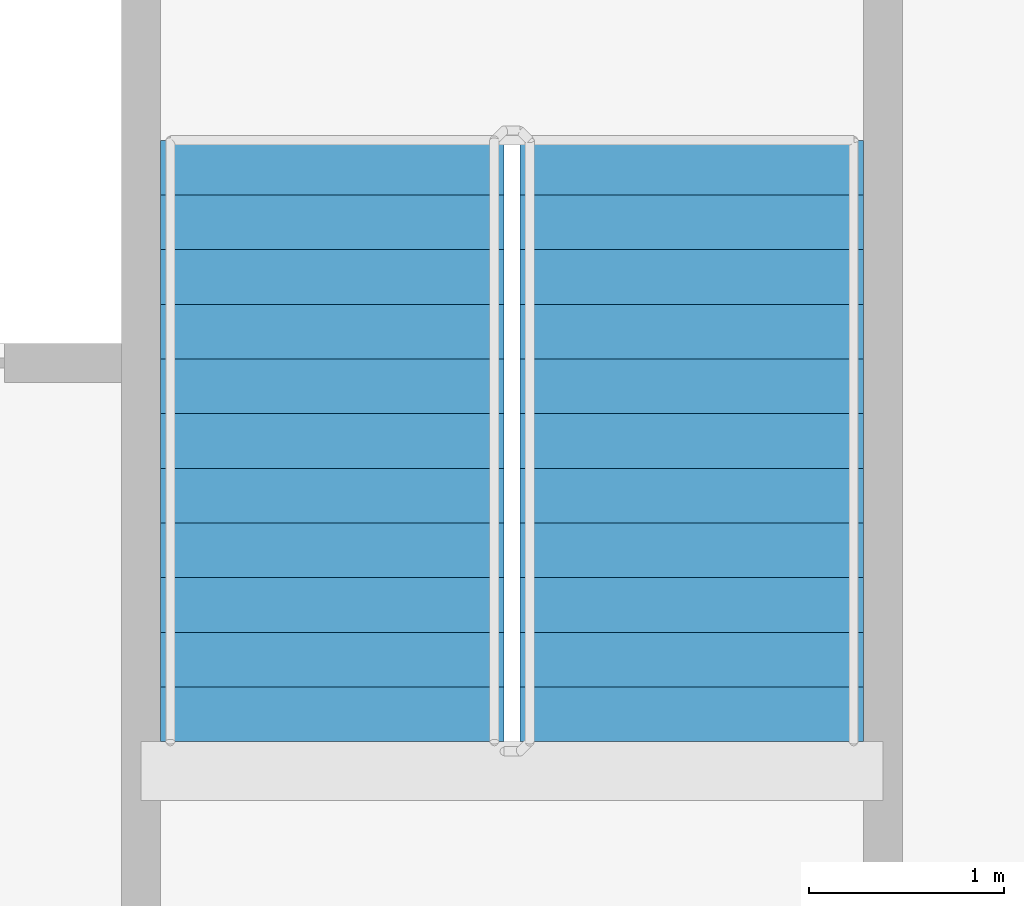
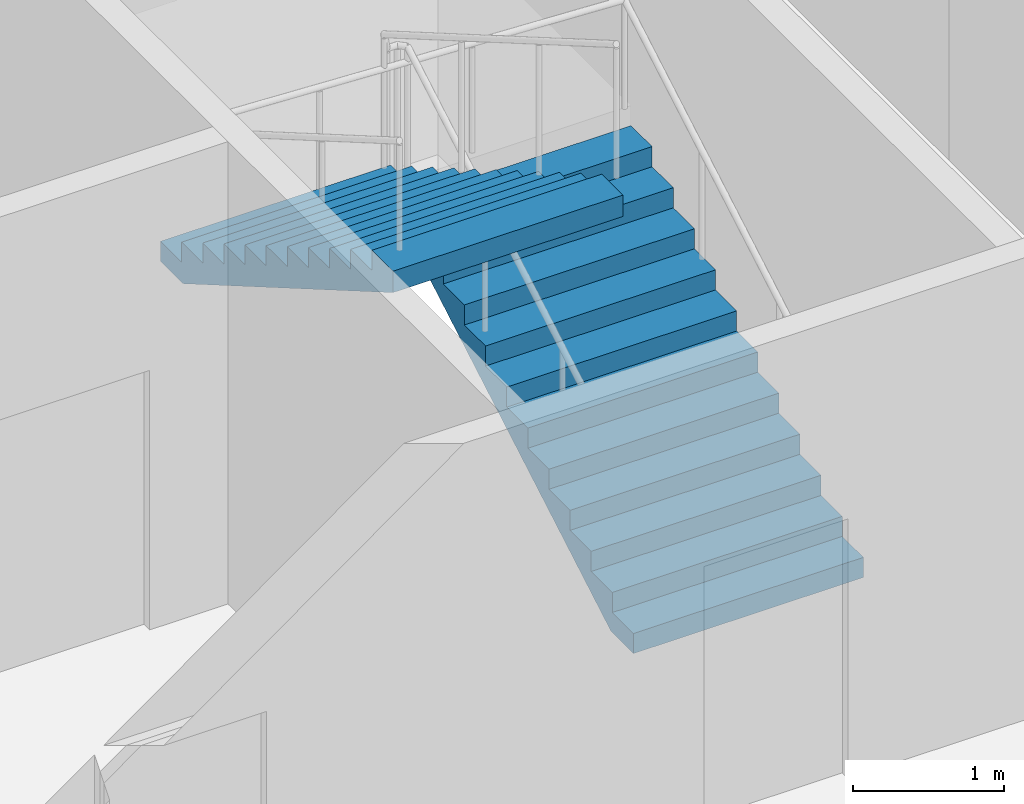
# One storey, part 10 of 16: 2 stair flights, 1 element without a shape of its own.
"""IFC4 building model written with IfcOpenShell, lengths in metres."""

from ifc_helpers import new_model, si_unit, direction, frame, origin, place, context, subcontext, project, spatial, faceted_brep, material, type_object, element, aggregate, save


model = new_model("IFC4")

# Units and contexts
model_context = context("Model", 3, precision=1e-05, world=origin(), true_north=direction((0.0, 1.0)))
body_context = subcontext(model_context, "Body", "Model", "MODEL_VIEW")
ifc_project = project(units=[si_unit("LENGTHUNIT", "METRE"), si_unit("AREAUNIT", "SQUARE_METRE"), si_unit("VOLUMEUNIT", "CUBIC_METRE"), si_unit("PLANEANGLEUNIT", "RADIAN"), si_unit("MASSUNIT", "GRAM", prefix="KILO")], contexts=[model_context])

# Site, building, storey
site_placement = place(None, origin())
site = spatial("IfcSite", under=ifc_project, at=site_placement, CompositionType="ELEMENT")
building_placement = place(site_placement, origin())
building = spatial("IfcBuilding", under=site, at=building_placement, Name="Tarsis Ring Headquarters", CompositionType="ELEMENT")
storey_placement = place(building_placement, frame((0.0, 0.0, 120.10009765625)))
storey = spatial("IfcBuildingStorey", under=building, at=storey_placement, Name="L27", CompositionType="ELEMENT", Elevation=120.10009765625)

# Stair, stair flights
ifc_material_1 = material(Name="Core stair 1760")
stair_type = type_object("IfcStairType", Name="Core stair 1760", PredefinedType="HALF_TURN_STAIR", material=ifc_material_1)
stair_placement = place(storey_placement, origin())
stair = element("IfcStair", 1, at=stair_placement, inside=storey, type_object=stair_type, Name="L27 Exit stair B", PredefinedType="HALF_TURN_STAIR")
ifc_material_2 = material(Name="Concrete C40/50", Category="concrete")
stair_flight_type = type_object("IfcStairFlightType", Name="Core stair flight 1760", PredefinedType="STRAIGHT", material=ifc_material_2)
stair_flight_1_placement = place(storey_placement, frame((5.419921875, 3.659912109375, 0.0), z_axis=(0.0, 0.0, 1.0), x_axis=(0.0, 1.0, 0.0)))
stair_flight_1 = element("IfcStairFlight", 2, at=stair_flight_1_placement, type_object=stair_flight_type, Name="Stair ST2 flight 1", NumberOfRisers=12, NumberOfTreads=11, PredefinedType="STRAIGHT", RiserHeight=0.1625, TreadLength=0.28, context=body_context, shape_type="Brep", body=[
    faceted_brep([(0.0, 0.8798828125, 0.0), (0.0, 0.8798828125, 0.16259765625), (0.280029296875, 0.8798828125, 0.16259765625), (0.280029296875, 0.8798828125, 0.324951171875), (0.56005859375, 0.8798828125, 0.324951171875), (0.56005859375, 0.8798828125, 0.487548828125), (0.840087890625, 0.8798828125, 0.487548828125), (0.840087890625, 0.8798828125, 0.64990234375), (1.1201171875, 0.8798828125, 0.64990234375), (1.1201171875, 0.8798828125, 0.8125), (1.39990234375, 0.8798828125, 0.8125), (1.39990234375, 0.8798828125, 0.97509765625), (1.679931640625, 0.8798828125, 0.97509765625), (1.679931640625, 0.8798828125, 1.137451171875), (1.9599609375, 0.8798828125, 1.137451171875), (1.9599609375, 0.8798828125, 1.300048828125), (2.239990234375, 0.8798828125, 1.300048828125), (2.239990234375, 0.8798828125, 1.46240234375), (2.52001953125, 0.8798828125, 1.46240234375), (2.52001953125, 0.8798828125, 1.625), (2.800048828125, 0.8798828125, 1.625), (2.800048828125, 0.8798828125, 1.78759765625), (3.080078125, 0.8798828125, 1.78759765625), (3.080078125, 0.8798828125, 1.6142578125), (0.298583984375, 0.8798828125, 0.0), (0.298583984375, -0.8798828125, 0.0), (3.080078125, -0.8798828125, 1.6142578125), (3.080078125, -0.8798828125, 1.78759765625), (2.800048828125, -0.8798828125, 1.78759765625), (2.800048828125, -0.8798828125, 1.625), (2.52001953125, -0.8798828125, 1.625), (2.52001953125, -0.8798828125, 1.46240234375), (2.239990234375, -0.8798828125, 1.46240234375), (2.239990234375, -0.8798828125, 1.300048828125), (1.9599609375, -0.8798828125, 1.300048828125), (1.9599609375, -0.8798828125, 1.137451171875), (1.679931640625, -0.8798828125, 1.137451171875), (1.679931640625, -0.8798828125, 0.97509765625), (1.39990234375, -0.8798828125, 0.97509765625), (1.39990234375, -0.8798828125, 0.8125), (1.1201171875, -0.8798828125, 0.8125), (1.1201171875, -0.8798828125, 0.64990234375), (0.840087890625, -0.8798828125, 0.64990234375), (0.840087890625, -0.8798828125, 0.487548828125), (0.56005859375, -0.8798828125, 0.487548828125), (0.56005859375, -0.8798828125, 0.324951171875), (0.280029296875, -0.8798828125, 0.324951171875), (0.280029296875, -0.8798828125, 0.16259765625), (0.0, -0.8798828125, 0.16259765625), (0.0, -0.8798828125, 0.0), (0.0, -0.43994140625, 0.16259765625), (0.0, -0.43994140625, 0.0), (0.0, 0.0, 0.16259765625), (0.0, 0.0, 0.0), (0.0, 0.43994140625, 0.16259765625), (0.0, 0.43994140625, 0.0), (0.280029296875, -0.43994140625, 0.16259765625), (0.280029296875, 0.0, 0.16259765625), (0.280029296875, 0.43994140625, 0.16259765625), (0.280029296875, -0.43994140625, 0.324951171875), (0.280029296875, 0.0, 0.324951171875), (0.280029296875, 0.43994140625, 0.324951171875), (0.56005859375, -0.43994140625, 0.324951171875), (0.56005859375, 0.0, 0.324951171875), (0.56005859375, 0.43994140625, 0.324951171875), (0.56005859375, -0.43994140625, 0.487548828125), (0.56005859375, 0.0, 0.487548828125), (0.56005859375, 0.43994140625, 0.487548828125), (0.840087890625, -0.43994140625, 0.487548828125), (0.840087890625, 0.0, 0.487548828125), (0.840087890625, 0.43994140625, 0.487548828125), (0.840087890625, -0.43994140625, 0.64990234375), (0.840087890625, 0.0, 0.64990234375), (0.840087890625, 0.43994140625, 0.64990234375), (1.1201171875, -0.43994140625, 0.64990234375), (1.1201171875, 0.0, 0.64990234375), (1.1201171875, 0.43994140625, 0.64990234375), (1.1201171875, -0.43994140625, 0.8125), (1.1201171875, 0.0, 0.8125), (1.1201171875, 0.43994140625, 0.8125), (1.39990234375, -0.43994140625, 0.8125), (1.39990234375, 0.0, 0.8125), (1.39990234375, 0.43994140625, 0.8125), (1.39990234375, -0.43994140625, 0.97509765625), (1.39990234375, 0.0, 0.97509765625), (1.39990234375, 0.43994140625, 0.97509765625), (1.679931640625, -0.43994140625, 0.97509765625), (1.679931640625, 0.0, 0.97509765625), (1.679931640625, 0.43994140625, 0.97509765625), (1.679931640625, -0.43994140625, 1.137451171875), (1.679931640625, 0.0, 1.137451171875), (1.679931640625, 0.43994140625, 1.137451171875), (1.9599609375, -0.43994140625, 1.137451171875), (1.9599609375, 0.0, 1.137451171875), (1.9599609375, 0.43994140625, 1.137451171875), (1.9599609375, -0.43994140625, 1.300048828125), (1.9599609375, 0.0, 1.300048828125), (1.9599609375, 0.43994140625, 1.300048828125), (2.239990234375, -0.43994140625, 1.300048828125), (2.239990234375, 0.0, 1.300048828125), (2.239990234375, 0.43994140625, 1.300048828125), (2.239990234375, -0.43994140625, 1.46240234375), (2.239990234375, 0.0, 1.46240234375), (2.239990234375, 0.43994140625, 1.46240234375), (2.52001953125, -0.43994140625, 1.46240234375), (2.52001953125, 0.0, 1.46240234375), (2.52001953125, 0.43994140625, 1.46240234375), (2.52001953125, -0.43994140625, 1.625), (2.52001953125, 0.0, 1.625), (2.52001953125, 0.43994140625, 1.625), (2.800048828125, -0.43994140625, 1.625), (2.800048828125, 0.0, 1.625), (2.800048828125, 0.43994140625, 1.625), (2.800048828125, -0.43994140625, 1.78759765625), (2.800048828125, 0.0, 1.78759765625), (2.800048828125, 0.43994140625, 1.78759765625), (3.080078125, -0.43994140625, 1.78759765625), (3.080078125, 0.0, 1.78759765625), (3.080078125, 0.43994140625, 1.78759765625), (3.080078125, -0.43994140625, 1.6142578125), (3.080078125, 0.0, 1.6142578125), (3.080078125, 0.43994140625, 1.6142578125), (0.298583984375, -0.43994140625, 0.0), (0.298583984375, 0.0, 0.0), (0.298583984375, 0.43994140625, 0.0)], [[[0, 1, 2, 3, 4, 5, 6, 7, 8, 9, 10, 11, 12, 13, 14, 15, 16, 17, 18, 19, 20, 21, 22, 23, 24]], [[25, 26, 27, 28, 29, 30, 31, 32, 33, 34, 35, 36, 37, 38, 39, 40, 41, 42, 43, 44, 45, 46, 47, 48, 49]], [[49, 48, 50, 51]], [[51, 50, 52, 53]], [[53, 52, 54, 55]], [[55, 54, 1, 0]], [[48, 47, 56, 50]], [[50, 56, 57, 52]], [[52, 57, 58, 54]], [[54, 58, 2, 1]], [[47, 46, 59, 56]], [[56, 59, 60, 57]], [[57, 60, 61, 58]], [[58, 61, 3, 2]], [[46, 45, 62, 59]], [[59, 62, 63, 60]], [[60, 63, 64, 61]], [[61, 64, 4, 3]], [[45, 44, 65, 62]], [[62, 65, 66, 63]], [[63, 66, 67, 64]], [[64, 67, 5, 4]], [[44, 43, 68, 65]], [[65, 68, 69, 66]], [[66, 69, 70, 67]], [[67, 70, 6, 5]], [[43, 42, 71, 68]], [[68, 71, 72, 69]], [[69, 72, 73, 70]], [[70, 73, 7, 6]], [[42, 41, 74, 71]], [[71, 74, 75, 72]], [[72, 75, 76, 73]], [[73, 76, 8, 7]], [[41, 40, 77, 74]], [[74, 77, 78, 75]], [[75, 78, 79, 76]], [[76, 79, 9, 8]], [[40, 39, 80, 77]], [[77, 80, 81, 78]], [[78, 81, 82, 79]], [[79, 82, 10, 9]], [[39, 38, 83, 80]], [[80, 83, 84, 81]], [[81, 84, 85, 82]], [[82, 85, 11, 10]], [[38, 37, 86, 83]], [[83, 86, 87, 84]], [[84, 87, 88, 85]], [[85, 88, 12, 11]], [[37, 36, 89, 86]], [[86, 89, 90, 87]], [[87, 90, 91, 88]], [[88, 91, 13, 12]], [[36, 35, 92, 89]], [[89, 92, 93, 90]], [[90, 93, 94, 91]], [[91, 94, 14, 13]], [[35, 34, 95, 92]], [[92, 95, 96, 93]], [[93, 96, 97, 94]], [[94, 97, 15, 14]], [[34, 33, 98, 95]], [[95, 98, 99, 96]], [[96, 99, 100, 97]], [[97, 100, 16, 15]], [[33, 32, 101, 98]], [[98, 101, 102, 99]], [[99, 102, 103, 100]], [[100, 103, 17, 16]], [[32, 31, 104, 101]], [[101, 104, 105, 102]], [[102, 105, 106, 103]], [[103, 106, 18, 17]], [[31, 30, 107, 104]], [[104, 107, 108, 105]], [[105, 108, 109, 106]], [[106, 109, 19, 18]], [[30, 29, 110, 107]], [[107, 110, 111, 108]], [[108, 111, 112, 109]], [[109, 112, 20, 19]], [[29, 28, 113, 110]], [[110, 113, 114, 111]], [[111, 114, 115, 112]], [[112, 115, 21, 20]], [[28, 27, 116, 113]], [[113, 116, 117, 114]], [[114, 117, 118, 115]], [[115, 118, 22, 21]], [[27, 26, 119, 116]], [[116, 119, 120, 117]], [[117, 120, 121, 118]], [[118, 121, 23, 22]], [[26, 25, 122, 119]], [[119, 122, 123, 120]], [[120, 123, 124, 121]], [[121, 124, 24, 23]], [[25, 49, 51, 122]], [[122, 51, 53, 123]], [[123, 53, 55, 124]], [[124, 55, 0, 24]]]),
])
stair_flight_2_placement = place(storey_placement, frame((3.580078125, 6.739990234375, 1.949951171875), z_axis=(0.0, 0.0, 1.0), x_axis=(0.0, -1.0, 0.0)))
stair_flight_2 = element("IfcStairFlight", 3, at=stair_flight_2_placement, type_object=stair_flight_type, Name="Stair ST2 flight 2", NumberOfRisers=12, NumberOfTreads=11, PredefinedType="STRAIGHT", RiserHeight=0.1625, TreadLength=0.28, context=body_context, shape_type="Brep", body=[
    faceted_brep([(0.0, 0.8798828125, 0.0), (0.0, 0.8798828125, 0.16259765625), (0.280029296875, 0.8798828125, 0.16259765625), (0.280029296875, 0.8798828125, 0.324951171875), (0.56005859375, 0.8798828125, 0.324951171875), (0.56005859375, 0.8798828125, 0.487548828125), (0.840087890625, 0.8798828125, 0.487548828125), (0.840087890625, 0.8798828125, 0.64990234375), (1.1201171875, 0.8798828125, 0.64990234375), (1.1201171875, 0.8798828125, 0.8125), (1.39990234375, 0.8798828125, 0.8125), (1.39990234375, 0.8798828125, 0.97509765625), (1.679931640625, 0.8798828125, 0.97509765625), (1.679931640625, 0.8798828125, 1.137451171875), (1.9599609375, 0.8798828125, 1.137451171875), (1.9599609375, 0.8798828125, 1.300048828125), (2.239990234375, 0.8798828125, 1.300048828125), (2.239990234375, 0.8798828125, 1.46240234375), (2.52001953125, 0.8798828125, 1.46240234375), (2.52001953125, 0.8798828125, 1.625), (2.800048828125, 0.8798828125, 1.625), (2.800048828125, 0.8798828125, 1.78759765625), (3.080078125, 0.8798828125, 1.78759765625), (3.080078125, 0.8798828125, 1.6142578125), (0.298583984375, 0.8798828125, 0.0), (0.298583984375, -0.8798828125, 0.0), (3.080078125, -0.8798828125, 1.6142578125), (3.080078125, -0.8798828125, 1.78759765625), (2.800048828125, -0.8798828125, 1.78759765625), (2.800048828125, -0.8798828125, 1.625), (2.52001953125, -0.8798828125, 1.625), (2.52001953125, -0.8798828125, 1.46240234375), (2.239990234375, -0.8798828125, 1.46240234375), (2.239990234375, -0.8798828125, 1.300048828125), (1.9599609375, -0.8798828125, 1.300048828125), (1.9599609375, -0.8798828125, 1.137451171875), (1.679931640625, -0.8798828125, 1.137451171875), (1.679931640625, -0.8798828125, 0.97509765625), (1.39990234375, -0.8798828125, 0.97509765625), (1.39990234375, -0.8798828125, 0.8125), (1.1201171875, -0.8798828125, 0.8125), (1.1201171875, -0.8798828125, 0.64990234375), (0.840087890625, -0.8798828125, 0.64990234375), (0.840087890625, -0.8798828125, 0.487548828125), (0.56005859375, -0.8798828125, 0.487548828125), (0.56005859375, -0.8798828125, 0.324951171875), (0.280029296875, -0.8798828125, 0.324951171875), (0.280029296875, -0.8798828125, 0.16259765625), (0.0, -0.8798828125, 0.16259765625), (0.0, -0.8798828125, 0.0), (0.0, -0.43994140625, 0.16259765625), (0.0, -0.43994140625, 0.0), (0.0, 0.0, 0.16259765625), (0.0, 0.0, 0.0), (0.0, 0.43994140625, 0.16259765625), (0.0, 0.43994140625, 0.0), (0.280029296875, -0.43994140625, 0.16259765625), (0.280029296875, 0.0, 0.16259765625), (0.280029296875, 0.43994140625, 0.16259765625), (0.280029296875, -0.43994140625, 0.324951171875), (0.280029296875, 0.0, 0.324951171875), (0.280029296875, 0.43994140625, 0.324951171875), (0.56005859375, -0.43994140625, 0.324951171875), (0.56005859375, 0.0, 0.324951171875), (0.56005859375, 0.43994140625, 0.324951171875), (0.56005859375, -0.43994140625, 0.487548828125), (0.56005859375, 0.0, 0.487548828125), (0.56005859375, 0.43994140625, 0.487548828125), (0.840087890625, -0.43994140625, 0.487548828125), (0.840087890625, 0.0, 0.487548828125), (0.840087890625, 0.43994140625, 0.487548828125), (0.840087890625, -0.43994140625, 0.64990234375), (0.840087890625, 0.0, 0.64990234375), (0.840087890625, 0.43994140625, 0.64990234375), (1.1201171875, -0.43994140625, 0.64990234375), (1.1201171875, 0.0, 0.64990234375), (1.1201171875, 0.43994140625, 0.64990234375), (1.1201171875, -0.43994140625, 0.8125), (1.1201171875, 0.0, 0.8125), (1.1201171875, 0.43994140625, 0.8125), (1.39990234375, -0.43994140625, 0.8125), (1.39990234375, 0.0, 0.8125), (1.39990234375, 0.43994140625, 0.8125), (1.39990234375, -0.43994140625, 0.97509765625), (1.39990234375, 0.0, 0.97509765625), (1.39990234375, 0.43994140625, 0.97509765625), (1.679931640625, -0.43994140625, 0.97509765625), (1.679931640625, 0.0, 0.97509765625), (1.679931640625, 0.43994140625, 0.97509765625), (1.679931640625, -0.43994140625, 1.137451171875), (1.679931640625, 0.0, 1.137451171875), (1.679931640625, 0.43994140625, 1.137451171875), (1.9599609375, -0.43994140625, 1.137451171875), (1.9599609375, 0.0, 1.137451171875), (1.9599609375, 0.43994140625, 1.137451171875), (1.9599609375, -0.43994140625, 1.300048828125), (1.9599609375, 0.0, 1.300048828125), (1.9599609375, 0.43994140625, 1.300048828125), (2.239990234375, -0.43994140625, 1.300048828125), (2.239990234375, 0.0, 1.300048828125), (2.239990234375, 0.43994140625, 1.300048828125), (2.239990234375, -0.43994140625, 1.46240234375), (2.239990234375, 0.0, 1.46240234375), (2.239990234375, 0.43994140625, 1.46240234375), (2.52001953125, -0.43994140625, 1.46240234375), (2.52001953125, 0.0, 1.46240234375), (2.52001953125, 0.43994140625, 1.46240234375), (2.52001953125, -0.43994140625, 1.625), (2.52001953125, 0.0, 1.625), (2.52001953125, 0.43994140625, 1.625), (2.800048828125, -0.43994140625, 1.625), (2.800048828125, 0.0, 1.625), (2.800048828125, 0.43994140625, 1.625), (2.800048828125, -0.43994140625, 1.78759765625), (2.800048828125, 0.0, 1.78759765625), (2.800048828125, 0.43994140625, 1.78759765625), (3.080078125, -0.43994140625, 1.78759765625), (3.080078125, 0.0, 1.78759765625), (3.080078125, 0.43994140625, 1.78759765625), (3.080078125, -0.43994140625, 1.6142578125), (3.080078125, 0.0, 1.6142578125), (3.080078125, 0.43994140625, 1.6142578125), (0.298583984375, -0.43994140625, 0.0), (0.298583984375, 0.0, 0.0), (0.298583984375, 0.43994140625, 0.0)], [[[0, 1, 2, 3, 4, 5, 6, 7, 8, 9, 10, 11, 12, 13, 14, 15, 16, 17, 18, 19, 20, 21, 22, 23, 24]], [[25, 26, 27, 28, 29, 30, 31, 32, 33, 34, 35, 36, 37, 38, 39, 40, 41, 42, 43, 44, 45, 46, 47, 48, 49]], [[49, 48, 50, 51]], [[51, 50, 52, 53]], [[53, 52, 54, 55]], [[55, 54, 1, 0]], [[48, 47, 56, 50]], [[50, 56, 57, 52]], [[52, 57, 58, 54]], [[54, 58, 2, 1]], [[47, 46, 59, 56]], [[56, 59, 60, 57]], [[57, 60, 61, 58]], [[58, 61, 3, 2]], [[46, 45, 62, 59]], [[59, 62, 63, 60]], [[60, 63, 64, 61]], [[61, 64, 4, 3]], [[45, 44, 65, 62]], [[62, 65, 66, 63]], [[63, 66, 67, 64]], [[64, 67, 5, 4]], [[44, 43, 68, 65]], [[65, 68, 69, 66]], [[66, 69, 70, 67]], [[67, 70, 6, 5]], [[43, 42, 71, 68]], [[68, 71, 72, 69]], [[69, 72, 73, 70]], [[70, 73, 7, 6]], [[42, 41, 74, 71]], [[71, 74, 75, 72]], [[72, 75, 76, 73]], [[73, 76, 8, 7]], [[41, 40, 77, 74]], [[74, 77, 78, 75]], [[75, 78, 79, 76]], [[76, 79, 9, 8]], [[40, 39, 80, 77]], [[77, 80, 81, 78]], [[78, 81, 82, 79]], [[79, 82, 10, 9]], [[39, 38, 83, 80]], [[80, 83, 84, 81]], [[81, 84, 85, 82]], [[82, 85, 11, 10]], [[38, 37, 86, 83]], [[83, 86, 87, 84]], [[84, 87, 88, 85]], [[85, 88, 12, 11]], [[37, 36, 89, 86]], [[86, 89, 90, 87]], [[87, 90, 91, 88]], [[88, 91, 13, 12]], [[36, 35, 92, 89]], [[89, 92, 93, 90]], [[90, 93, 94, 91]], [[91, 94, 14, 13]], [[35, 34, 95, 92]], [[92, 95, 96, 93]], [[93, 96, 97, 94]], [[94, 97, 15, 14]], [[34, 33, 98, 95]], [[95, 98, 99, 96]], [[96, 99, 100, 97]], [[97, 100, 16, 15]], [[33, 32, 101, 98]], [[98, 101, 102, 99]], [[99, 102, 103, 100]], [[100, 103, 17, 16]], [[32, 31, 104, 101]], [[101, 104, 105, 102]], [[102, 105, 106, 103]], [[103, 106, 18, 17]], [[31, 30, 107, 104]], [[104, 107, 108, 105]], [[105, 108, 109, 106]], [[106, 109, 19, 18]], [[30, 29, 110, 107]], [[107, 110, 111, 108]], [[108, 111, 112, 109]], [[109, 112, 20, 19]], [[29, 28, 113, 110]], [[110, 113, 114, 111]], [[111, 114, 115, 112]], [[112, 115, 21, 20]], [[28, 27, 116, 113]], [[113, 116, 117, 114]], [[114, 117, 118, 115]], [[115, 118, 22, 21]], [[27, 26, 119, 116]], [[116, 119, 120, 117]], [[117, 120, 121, 118]], [[118, 121, 23, 22]], [[26, 25, 122, 119]], [[119, 122, 123, 120]], [[120, 123, 124, 121]], [[121, 124, 24, 23]], [[25, 49, 51, 122]], [[122, 51, 53, 123]], [[123, 53, 55, 124]], [[124, 55, 0, 24]]]),
])
aggregate(stair, [stair_flight_1, stair_flight_2])

save(model, "model.ifc")
